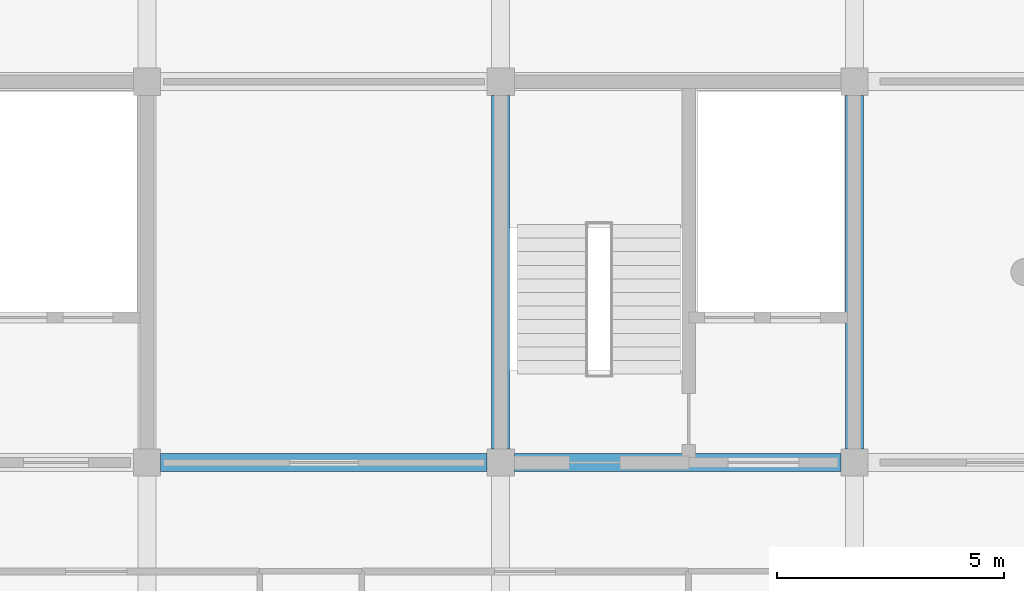
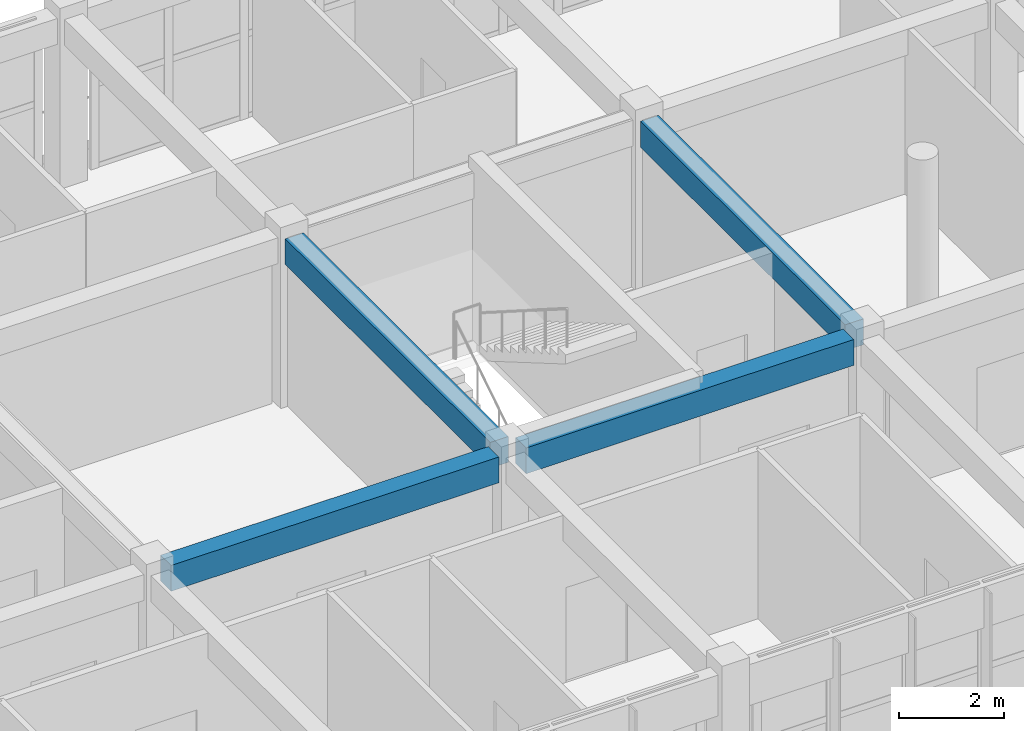
# One storey, part 22 of 50: 4 beams.
"""IFC4 building model written with IfcOpenShell, lengths in metres."""

from ifc_helpers import new_model, si_unit, direction, frame, origin, origin_2d, place, context, subcontext, project, spatial, rectangle, extrude, material, material_profile, profile_set, type_object, element, save


model = new_model("IFC4")

# Units and contexts
model_context = context("Model", 3, precision=1e-05, world=origin(), true_north=direction((0.0, 1.0)))
body_context = subcontext(model_context, "Body", "Model", "MODEL_VIEW")
ifc_project = project(units=[si_unit("LENGTHUNIT", "METRE"), si_unit("AREAUNIT", "SQUARE_METRE"), si_unit("VOLUMEUNIT", "CUBIC_METRE"), si_unit("PLANEANGLEUNIT", "RADIAN"), si_unit("MASSUNIT", "GRAM", prefix="KILO")], contexts=[model_context])

# Site, building, storey
site_placement = place(None, origin())
site = spatial("IfcSite", under=ifc_project, at=site_placement, CompositionType="ELEMENT")
building_placement = place(site_placement, origin())
building = spatial("IfcBuilding", under=site, at=building_placement, Name="Zizhar Promenade General Hospital", CompositionType="ELEMENT")
storey_placement = place(building_placement, frame((0.0, 0.0, 30.60009765625)))
storey = spatial("IfcBuildingStorey", under=building, at=storey_placement, Name="L07", CompositionType="ELEMENT", Elevation=30.60009765625)

# Beams
ifc_material = material(Name="Concrete C35/45", Category="concrete")
ifc_material_profile = material_profile(ifc_material, rectangle(XDim=0.39990234375, YDim=0.60009765625, at=origin_2d()))
ifc_profile_set = profile_set([ifc_material_profile], Name="Concrete C35/45")
beam_type = type_object("IfcBeamType", Name="BM-RC-400x600", PredefinedType="JOIST", material=ifc_profile_set)
beam_1_placement = place(storey_placement, frame((86.10009765625, 8.39990234375, 3.60986328125), z_axis=(1.0, 0.0, 0.0), x_axis=(0.0, 1.0, 0.0)))
element("IfcBeam", 1, at=beam_1_placement, inside=storey, type_object=beam_type, Name="Grid Beam X L07 (11-1)", PredefinedType="JOIST", context=body_context, shape_type="SweptSolid", body=[
    extrude(rectangle(XDim=0.39990234375, YDim=0.60009765625, at=origin_2d()), origin(), (0.0, 0.0, 1.0), 7.199951171875),
])
beam_2_placement = place(storey_placement, frame((93.89990234375, 8.39990234375, 3.60986328125), z_axis=(1.0, 0.0, 0.0), x_axis=(0.0, 1.0, 0.0)))
element("IfcBeam", 2, at=beam_2_placement, inside=storey, type_object=beam_type, Name="Grid Beam X L07 (12-1)", PredefinedType="JOIST", context=body_context, shape_type="SweptSolid", body=[
    extrude(rectangle(XDim=0.39990234375, YDim=0.60009765625, at=origin_2d()), origin(), (0.0, 0.0, 1.0), 7.2001953125),
])
for number, where, z_axis, x_axis, name in (
    (3, (93.60009765625, 8.699951171875, 3.60986328125), (0.0, 1.0, 0.0), (-1.0, 0.0, 0.0), "Grid Beam Y L07 (12-1)"),
    (4, (101.39990234375, 8.699951171875, 3.60986328125), (0.0, 1.0, 0.0), (-1.0, 0.0, 0.0), "Grid Beam Y L07 (13-1)"),
):
    element("IfcBeam", number, at=place(storey_placement, frame(where, z_axis=z_axis, x_axis=x_axis)), inside=storey, type_object=beam_type, Name=name, PredefinedType="JOIST", context=body_context, shape_type="SweptSolid", body=[
        extrude(rectangle(XDim=0.39990234375, YDim=0.60009765625, at=origin_2d()), origin(), (0.0, 0.0, 1.0), 7.800048828125),
    ])

save(model, "model.ifc")
